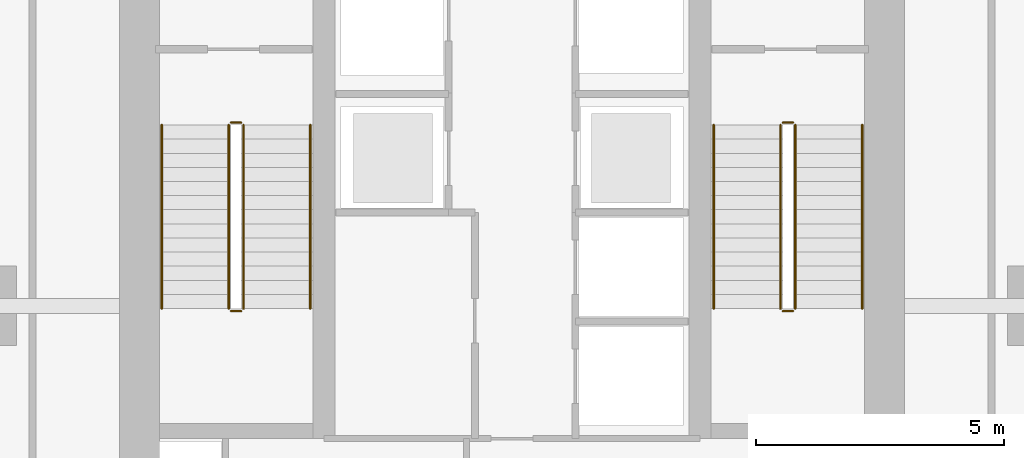
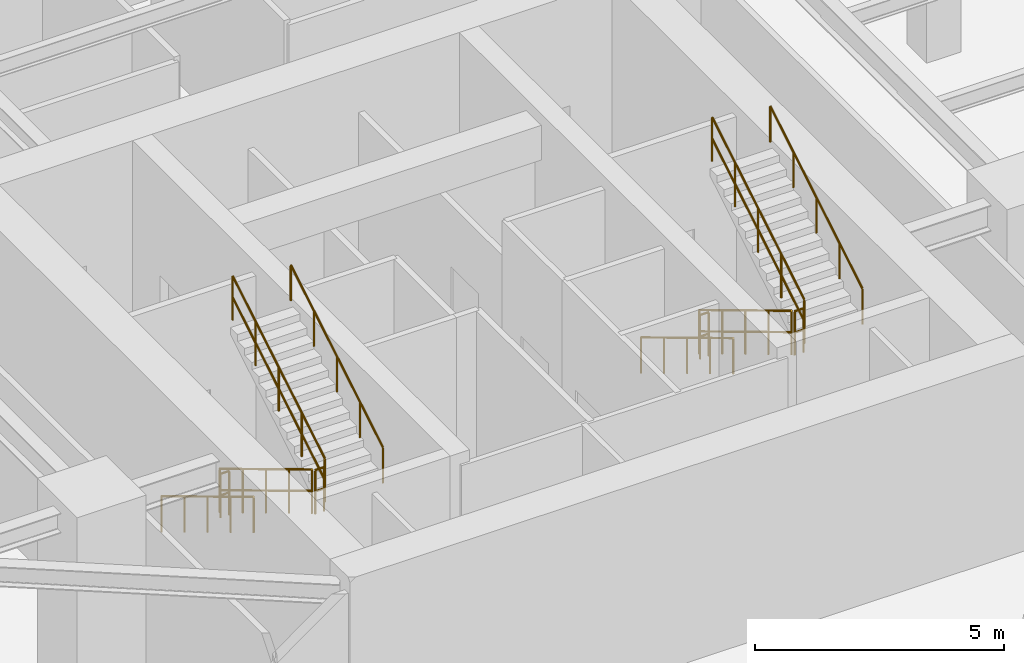
# One storey, part 20 of 22: 12 railings.
"""IFC4 building model written with IfcOpenShell, lengths in metres."""

from ifc_helpers import new_model, si_unit, direction, frame, origin, origin_2d, place, context, subcontext, project, spatial, circle, extrude, material, layer, layer_set, type_object, element, save


model = new_model("IFC4")

# Units and contexts
model_context = context("Model", 3, precision=1e-05, world=origin(), true_north=direction((0.0, 1.0)))
body_context = subcontext(model_context, "Body", "Model", "MODEL_VIEW")
ifc_project = project(units=[si_unit("LENGTHUNIT", "METRE"), si_unit("AREAUNIT", "SQUARE_METRE"), si_unit("VOLUMEUNIT", "CUBIC_METRE"), si_unit("PLANEANGLEUNIT", "RADIAN"), si_unit("MASSUNIT", "GRAM", prefix="KILO")], contexts=[model_context])

# Site, building, storey
site_placement = place(None, origin())
site = spatial("IfcSite", under=ifc_project, at=site_placement, CompositionType="ELEMENT")
building_placement = place(site_placement, origin())
building = spatial("IfcBuilding", under=site, at=building_placement, Name="Krantzveldt Concourse Tower", CompositionType="ELEMENT")
storey_placement = place(building_placement, frame((0.0, 0.0, 262.60009765625)))
storey = spatial("IfcBuildingStorey", under=building, at=storey_placement, Name="L64", CompositionType="ELEMENT", Elevation=262.60009765625)

# Railings
ifc_material = material(Name="Stainless steel 316L", Category="steel")
ifc_layer_1 = layer(ifc_material, 0.06005859375, Name="Stainless steel 316L", Category="steel")
ifc_layer_set_1 = layer_set([ifc_layer_1], Name="Stainless steel 316L (RL-GUARD-1120)")
railing_type_1 = type_object("IfcRailingType", Name="RL-GUARD-1120", PredefinedType="GUARDRAIL", material=ifc_layer_set_1)
railing_1_placement = place(storey_placement, frame((30.280029296875, 19.550048828125, 0.17138671875)))
element("IfcRailing", 1, at=railing_1_placement, inside=storey, type_object=railing_type_1, Name="L64 ST-1 stair guard 1", PredefinedType="GUARDRAIL", context=body_context, shape_type="SweptSolid", body=[
    extrude(circle(Radius=0.02392578125, at=origin_2d()), frame((0.0, 0.0, 1.076171875), z_axis=(0.0, -0.856934400257, 0.515425487977), x_axis=(1.0, 0.0, 0.0)), (0.0, 0.0, 1.0), 4.32373046875),
    extrude(circle(Radius=0.02392578125, at=origin_2d()), frame((0.0, 0.0, 0.550048828125), z_axis=(0.0, -0.856934400257, 0.515425487977), x_axis=(1.0, 0.0, 0.0)), (0.0, 0.0, 1.0), 4.32373046875),
    extrude(circle(Radius=0.02099609375, at=origin_2d()), origin(), (0.0, 0.0, 1.0), 1.052001953125),
    extrude(circle(Radius=0.02099609375, at=origin_2d()), frame((0.0, -0.92626953125, 0.55712890625)), (0.0, 0.0, 1.0), 1.052001953125),
    extrude(circle(Radius=0.02099609375, at=origin_2d()), frame((0.0, -1.8525390625, 1.1142578125)), (0.0, 0.0, 1.0), 1.052001953125),
    extrude(circle(Radius=0.02099609375, at=origin_2d()), frame((0.0, -2.77880859375, 1.67138671875)), (0.0, 0.0, 1.0), 1.052001953125),
    extrude(circle(Radius=0.02099609375, at=origin_2d()), frame((0.0, -3.705078125, 2.228515625)), (0.0, 0.0, 1.0), 1.052001953125),
])
railing_2_placement = place(storey_placement, frame((30.330078125, 15.794921875, 2.39990234375)))
element("IfcRailing", 2, at=railing_2_placement, inside=storey, type_object=railing_type_1, Name="L64 ST-1 stair guard 2", PredefinedType="GUARDRAIL", context=body_context, shape_type="SweptSolid", body=[
    extrude(circle(Radius=0.02392578125, at=origin_2d()), frame((0.0, 0.0, 1.076171875), z_axis=(1.0, 0.0, 0.0), x_axis=(0.0, 1.0, 0.0)), (0.0, 0.0, 1.0), 0.199951171875),
    extrude(circle(Radius=0.02392578125, at=origin_2d()), frame((0.0, 0.0, 0.550048828125), z_axis=(1.0, 0.0, 0.0), x_axis=(0.0, 1.0, 0.0)), (0.0, 0.0, 1.0), 0.199951171875),
    extrude(circle(Radius=0.02099609375, at=origin_2d()), origin(), (0.0, 0.0, 1.0), 1.052001953125),
    extrude(circle(Radius=0.02099609375, at=origin_2d()), frame((0.199951171875, 0.0, 0.0)), (0.0, 0.0, 1.0), 1.052001953125),
])
railing_3_placement = place(storey_placement, frame((30.580078125, 15.844970703125, 2.5712890625)))
element("IfcRailing", 3, at=railing_3_placement, inside=storey, type_object=railing_type_1, Name="L64 ST-1 stair guard 3", PredefinedType="GUARDRAIL", context=body_context, shape_type="SweptSolid", body=[
    extrude(circle(Radius=0.02392578125, at=origin_2d()), frame((0.0, 0.0, 1.076171875), z_axis=(0.0, 0.856934400257, 0.515425487977), x_axis=(-1.0, 0.0, 0.0)), (0.0, 0.0, 1.0), 4.32373046875),
    extrude(circle(Radius=0.02392578125, at=origin_2d()), frame((0.0, 0.0, 0.550048828125), z_axis=(0.0, 0.856934400257, 0.515425487977), x_axis=(-1.0, 0.0, 0.0)), (0.0, 0.0, 1.0), 4.32373046875),
    extrude(circle(Radius=0.02099609375, at=origin_2d()), origin(), (0.0, 0.0, 1.0), 1.052001953125),
    extrude(circle(Radius=0.02099609375, at=origin_2d()), frame((0.0, 0.92626953125, 0.55712890625)), (0.0, 0.0, 1.0), 1.052001953125),
    extrude(circle(Radius=0.02099609375, at=origin_2d()), frame((0.0, 1.8525390625, 1.1142578125)), (0.0, 0.0, 1.0), 1.052001953125),
    extrude(circle(Radius=0.02099609375, at=origin_2d()), frame((0.0, 2.77880859375, 1.67138671875)), (0.0, 0.0, 1.0), 1.052001953125),
    extrude(circle(Radius=0.02099609375, at=origin_2d()), frame((0.0, 3.705078125, 2.228515625)), (0.0, 0.0, 1.0), 1.052001953125),
])
railing_4_placement = place(storey_placement, frame((30.330078125, 19.60009765625, 0.0)))
element("IfcRailing", 4, at=railing_4_placement, inside=storey, type_object=railing_type_1, Name="L64 ST-1 stair guard 4", PredefinedType="GUARDRAIL", context=body_context, shape_type="SweptSolid", body=[
    extrude(circle(Radius=0.02392578125, at=origin_2d()), frame((0.0, 0.0, 1.076171875), z_axis=(1.0, 0.0, 0.0), x_axis=(0.0, 1.0, 0.0)), (0.0, 0.0, 1.0), 0.199951171875),
    extrude(circle(Radius=0.02392578125, at=origin_2d()), frame((0.0, 0.0, 0.550048828125), z_axis=(1.0, 0.0, 0.0), x_axis=(0.0, 1.0, 0.0)), (0.0, 0.0, 1.0), 0.199951171875),
    extrude(circle(Radius=0.02099609375, at=origin_2d()), origin(), (0.0, 0.0, 1.0), 1.052001953125),
    extrude(circle(Radius=0.02099609375, at=origin_2d()), frame((0.199951171875, 0.0, 0.0)), (0.0, 0.0, 1.0), 1.052001953125),
])
railing_5_placement = place(storey_placement, frame((41.419921875, 19.550048828125, 0.17138671875)))
element("IfcRailing", 5, at=railing_5_placement, inside=storey, type_object=railing_type_1, Name="L64 ST-2 stair guard 1", PredefinedType="GUARDRAIL", context=body_context, shape_type="SweptSolid", body=[
    extrude(circle(Radius=0.02392578125, at=origin_2d()), frame((0.0, 0.0, 1.076171875), z_axis=(0.0, -0.856934400257, 0.515425487977), x_axis=(1.0, 0.0, 0.0)), (0.0, 0.0, 1.0), 4.32373046875),
    extrude(circle(Radius=0.02392578125, at=origin_2d()), frame((0.0, 0.0, 0.550048828125), z_axis=(0.0, -0.856934400257, 0.515425487977), x_axis=(1.0, 0.0, 0.0)), (0.0, 0.0, 1.0), 4.32373046875),
    extrude(circle(Radius=0.02099609375, at=origin_2d()), origin(), (0.0, 0.0, 1.0), 1.052001953125),
    extrude(circle(Radius=0.02099609375, at=origin_2d()), frame((0.0, -0.92626953125, 0.55712890625)), (0.0, 0.0, 1.0), 1.052001953125),
    extrude(circle(Radius=0.02099609375, at=origin_2d()), frame((0.0, -1.8525390625, 1.1142578125)), (0.0, 0.0, 1.0), 1.052001953125),
    extrude(circle(Radius=0.02099609375, at=origin_2d()), frame((0.0, -2.77880859375, 1.67138671875)), (0.0, 0.0, 1.0), 1.052001953125),
    extrude(circle(Radius=0.02099609375, at=origin_2d()), frame((0.0, -3.705078125, 2.228515625)), (0.0, 0.0, 1.0), 1.052001953125),
])
railing_6_placement = place(storey_placement, frame((41.469970703125, 15.794921875, 2.39990234375)))
element("IfcRailing", 6, at=railing_6_placement, inside=storey, type_object=railing_type_1, Name="L64 ST-2 stair guard 2", PredefinedType="GUARDRAIL", context=body_context, shape_type="SweptSolid", body=[
    extrude(circle(Radius=0.02392578125, at=origin_2d()), frame((0.0, 0.0, 1.076171875), z_axis=(1.0, 0.0, 0.0), x_axis=(0.0, 1.0, 0.0)), (0.0, 0.0, 1.0), 0.199951171875),
    extrude(circle(Radius=0.02392578125, at=origin_2d()), frame((0.0, 0.0, 0.550048828125), z_axis=(1.0, 0.0, 0.0), x_axis=(0.0, 1.0, 0.0)), (0.0, 0.0, 1.0), 0.199951171875),
    extrude(circle(Radius=0.02099609375, at=origin_2d()), origin(), (0.0, 0.0, 1.0), 1.052001953125),
    extrude(circle(Radius=0.02099609375, at=origin_2d()), frame((0.199951171875, 0.0, 0.0)), (0.0, 0.0, 1.0), 1.052001953125),
])
railing_7_placement = place(storey_placement, frame((41.719970703125, 15.844970703125, 2.5712890625)))
element("IfcRailing", 7, at=railing_7_placement, inside=storey, type_object=railing_type_1, Name="L64 ST-2 stair guard 3", PredefinedType="GUARDRAIL", context=body_context, shape_type="SweptSolid", body=[
    extrude(circle(Radius=0.02392578125, at=origin_2d()), frame((0.0, 0.0, 1.076171875), z_axis=(0.0, 0.856934400257, 0.515425487977), x_axis=(-1.0, 0.0, 0.0)), (0.0, 0.0, 1.0), 4.32373046875),
    extrude(circle(Radius=0.02392578125, at=origin_2d()), frame((0.0, 0.0, 0.550048828125), z_axis=(0.0, 0.856934400257, 0.515425487977), x_axis=(-1.0, 0.0, 0.0)), (0.0, 0.0, 1.0), 4.32373046875),
    extrude(circle(Radius=0.02099609375, at=origin_2d()), origin(), (0.0, 0.0, 1.0), 1.052001953125),
    extrude(circle(Radius=0.02099609375, at=origin_2d()), frame((0.0, 0.92626953125, 0.55712890625)), (0.0, 0.0, 1.0), 1.052001953125),
    extrude(circle(Radius=0.02099609375, at=origin_2d()), frame((0.0, 1.8525390625, 1.1142578125)), (0.0, 0.0, 1.0), 1.052001953125),
    extrude(circle(Radius=0.02099609375, at=origin_2d()), frame((0.0, 2.77880859375, 1.67138671875)), (0.0, 0.0, 1.0), 1.052001953125),
    extrude(circle(Radius=0.02099609375, at=origin_2d()), frame((0.0, 3.705078125, 2.228515625)), (0.0, 0.0, 1.0), 1.052001953125),
])
railing_8_placement = place(storey_placement, frame((41.469970703125, 19.60009765625, 0.0)))
element("IfcRailing", 8, at=railing_8_placement, inside=storey, type_object=railing_type_1, Name="L64 ST-2 stair guard 4", PredefinedType="GUARDRAIL", context=body_context, shape_type="SweptSolid", body=[
    extrude(circle(Radius=0.02392578125, at=origin_2d()), frame((0.0, 0.0, 1.076171875), z_axis=(1.0, 0.0, 0.0), x_axis=(0.0, 1.0, 0.0)), (0.0, 0.0, 1.0), 0.199951171875),
    extrude(circle(Radius=0.02392578125, at=origin_2d()), frame((0.0, 0.0, 0.550048828125), z_axis=(1.0, 0.0, 0.0), x_axis=(0.0, 1.0, 0.0)), (0.0, 0.0, 1.0), 0.199951171875),
    extrude(circle(Radius=0.02099609375, at=origin_2d()), origin(), (0.0, 0.0, 1.0), 1.052001953125),
    extrude(circle(Radius=0.02099609375, at=origin_2d()), frame((0.199951171875, 0.0, 0.0)), (0.0, 0.0, 1.0), 1.052001953125),
])
ifc_layer_2 = layer(ifc_material, 0.050048828125, Name="Stainless steel 316L", Category="steel")
ifc_layer_set_2 = layer_set([ifc_layer_2], Name="Stainless steel 316L (RL-HANDRAIL-920)")
railing_type_2 = type_object("IfcRailingType", Name="RL-HANDRAIL-920", PredefinedType="HANDRAIL", material=ifc_layer_set_2)
railing_9_placement = place(storey_placement, frame((28.929931640625, 19.550048828125, 0.17138671875)))
element("IfcRailing", 9, at=railing_9_placement, inside=storey, type_object=railing_type_2, Name="L64 ST-1 stair handrail 1", PredefinedType="HANDRAIL", context=body_context, shape_type="SweptSolid", body=[
    extrude(circle(Radius=0.02392578125, at=origin_2d()), frame((0.0, 0.0, 0.8759765625), z_axis=(0.0, -0.856934400257, 0.515425487977), x_axis=(1.0, 0.0, 0.0)), (0.0, 0.0, 1.0), 4.32373046875),
    extrude(circle(Radius=0.02099609375, at=origin_2d()), origin(), (0.0, 0.0, 1.0), 0.851806640625),
    extrude(circle(Radius=0.02099609375, at=origin_2d()), frame((0.0, -0.92626953125, 0.55712890625)), (0.0, 0.0, 1.0), 0.851806640625),
    extrude(circle(Radius=0.02099609375, at=origin_2d()), frame((0.0, -1.8525390625, 1.1142578125)), (0.0, 0.0, 1.0), 0.851806640625),
    extrude(circle(Radius=0.02099609375, at=origin_2d()), frame((0.0, -2.77880859375, 1.67138671875)), (0.0, 0.0, 1.0), 0.851806640625),
    extrude(circle(Radius=0.02099609375, at=origin_2d()), frame((0.0, -3.705078125, 2.228515625)), (0.0, 0.0, 1.0), 0.851806640625),
])
railing_10_placement = place(storey_placement, frame((31.929931640625, 15.844970703125, 2.5712890625)))
element("IfcRailing", 10, at=railing_10_placement, inside=storey, type_object=railing_type_2, Name="L64 ST-1 stair handrail 2", PredefinedType="HANDRAIL", context=body_context, shape_type="SweptSolid", body=[
    extrude(circle(Radius=0.02392578125, at=origin_2d()), frame((0.0, 0.0, 0.8759765625), z_axis=(0.0, 0.856934400257, 0.515425487977), x_axis=(-1.0, 0.0, 0.0)), (0.0, 0.0, 1.0), 4.32373046875),
    extrude(circle(Radius=0.02099609375, at=origin_2d()), origin(), (0.0, 0.0, 1.0), 0.851806640625),
    extrude(circle(Radius=0.02099609375, at=origin_2d()), frame((0.0, 0.92626953125, 0.55712890625)), (0.0, 0.0, 1.0), 0.851806640625),
    extrude(circle(Radius=0.02099609375, at=origin_2d()), frame((0.0, 1.8525390625, 1.1142578125)), (0.0, 0.0, 1.0), 0.851806640625),
    extrude(circle(Radius=0.02099609375, at=origin_2d()), frame((0.0, 2.77880859375, 1.67138671875)), (0.0, 0.0, 1.0), 0.851806640625),
    extrude(circle(Radius=0.02099609375, at=origin_2d()), frame((0.0, 3.705078125, 2.228515625)), (0.0, 0.0, 1.0), 0.851806640625),
])
railing_11_placement = place(storey_placement, frame((40.070068359375, 19.550048828125, 0.17138671875)))
element("IfcRailing", 11, at=railing_11_placement, inside=storey, type_object=railing_type_2, Name="L64 ST-2 stair handrail 1", PredefinedType="HANDRAIL", context=body_context, shape_type="SweptSolid", body=[
    extrude(circle(Radius=0.02392578125, at=origin_2d()), frame((0.0, 0.0, 0.8759765625), z_axis=(0.0, -0.856934400257, 0.515425487977), x_axis=(1.0, 0.0, 0.0)), (0.0, 0.0, 1.0), 4.32373046875),
    extrude(circle(Radius=0.02099609375, at=origin_2d()), origin(), (0.0, 0.0, 1.0), 0.851806640625),
    extrude(circle(Radius=0.02099609375, at=origin_2d()), frame((0.0, -0.92626953125, 0.55712890625)), (0.0, 0.0, 1.0), 0.851806640625),
    extrude(circle(Radius=0.02099609375, at=origin_2d()), frame((0.0, -1.8525390625, 1.1142578125)), (0.0, 0.0, 1.0), 0.851806640625),
    extrude(circle(Radius=0.02099609375, at=origin_2d()), frame((0.0, -2.77880859375, 1.67138671875)), (0.0, 0.0, 1.0), 0.851806640625),
    extrude(circle(Radius=0.02099609375, at=origin_2d()), frame((0.0, -3.705078125, 2.228515625)), (0.0, 0.0, 1.0), 0.851806640625),
])
railing_12_placement = place(storey_placement, frame((43.070068359375, 15.844970703125, 2.5712890625)))
element("IfcRailing", 12, at=railing_12_placement, inside=storey, type_object=railing_type_2, Name="L64 ST-2 stair handrail 2", PredefinedType="HANDRAIL", context=body_context, shape_type="SweptSolid", body=[
    extrude(circle(Radius=0.02392578125, at=origin_2d()), frame((0.0, 0.0, 0.8759765625), z_axis=(0.0, 0.856934400257, 0.515425487977), x_axis=(-1.0, 0.0, 0.0)), (0.0, 0.0, 1.0), 4.32373046875),
    extrude(circle(Radius=0.02099609375, at=origin_2d()), origin(), (0.0, 0.0, 1.0), 0.851806640625),
    extrude(circle(Radius=0.02099609375, at=origin_2d()), frame((0.0, 0.92626953125, 0.55712890625)), (0.0, 0.0, 1.0), 0.851806640625),
    extrude(circle(Radius=0.02099609375, at=origin_2d()), frame((0.0, 1.8525390625, 1.1142578125)), (0.0, 0.0, 1.0), 0.851806640625),
    extrude(circle(Radius=0.02099609375, at=origin_2d()), frame((0.0, 2.77880859375, 1.67138671875)), (0.0, 0.0, 1.0), 0.851806640625),
    extrude(circle(Radius=0.02099609375, at=origin_2d()), frame((0.0, 3.705078125, 2.228515625)), (0.0, 0.0, 1.0), 0.851806640625),
])

save(model, "model.ifc")
